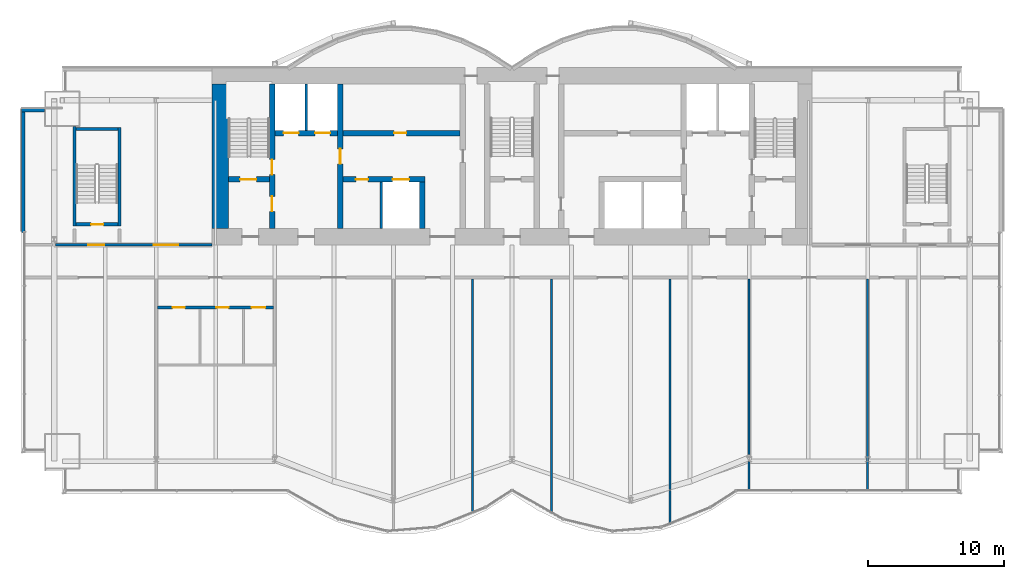
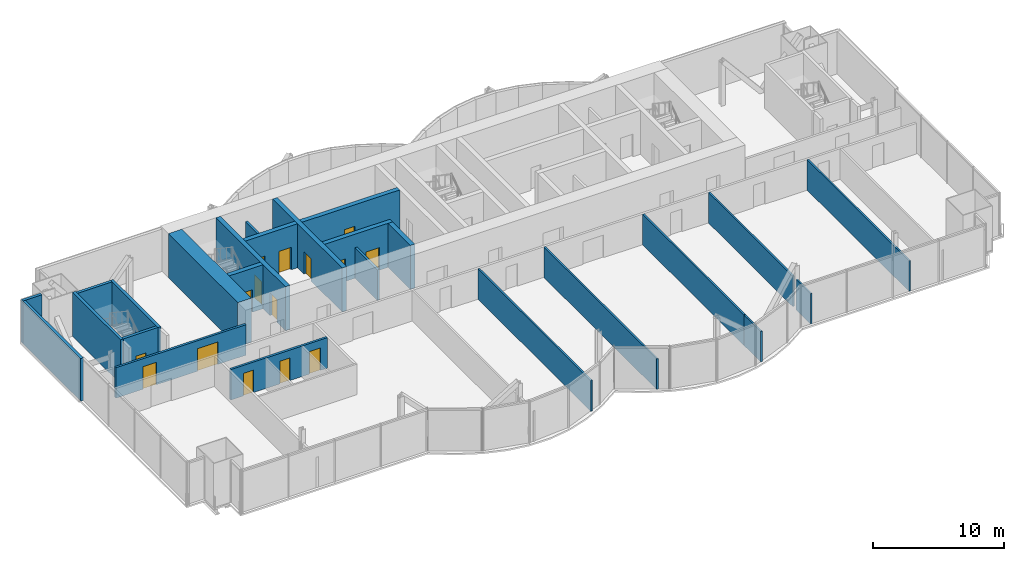
# One storey, part 14 of 20: 24 walls, 15 doors, 15 openings.
"""IFC4 building model written with IfcOpenShell, lengths in metres."""

from ifc_helpers import new_model, si_unit, direction, frame, frame_2d, origin, place, context, subcontext, project, spatial, rectangle, extrude, material, layer, layer_set, layer_usage, type_object, element, fill, save


model = new_model("IFC4")

# Units and contexts
model_context = context("Model", 3, precision=1e-05, world=origin(), true_north=direction((0.0, 1.0)))
body_context = subcontext(model_context, "Body", "Model", "MODEL_VIEW")
ifc_project = project(units=[si_unit("LENGTHUNIT", "METRE"), si_unit("AREAUNIT", "SQUARE_METRE"), si_unit("VOLUMEUNIT", "CUBIC_METRE"), si_unit("PLANEANGLEUNIT", "RADIAN"), si_unit("MASSUNIT", "GRAM", prefix="KILO")], contexts=[model_context])

# Site, building, storey
site_placement = place(None, origin())
site = spatial("IfcSite", under=ifc_project, at=site_placement, CompositionType="ELEMENT")
building_placement = place(site_placement, origin())
building = spatial("IfcBuilding", under=site, at=building_placement, Name="Bicima Exchange Tower", CompositionType="ELEMENT")
storey_placement = place(building_placement, frame((0.0, 0.0, 223.699951171875)))
storey = spatial("IfcBuildingStorey", under=building, at=storey_placement, Name="L50", CompositionType="ELEMENT", Elevation=223.699951171875)

# Walls
ifc_material_1 = material(Name="Gypsum board partition")
ifc_layer_1 = layer(ifc_material_1, 0.199951171875)
ifc_layer_set_1 = layer_set([ifc_layer_1], Name="Gypsum board partition")
wall_type_1 = type_object("IfcWallType", Name="Fire-rated gypsum partition 200 EI120", PredefinedType="PARTITIONING", material=ifc_layer_set_1)
for number, where, z_axis, x_axis, name in (
    (1, (-15.10009765625, -4.60009765625, 0.0), (0.0, 0.0, 1.0), (0.0, 1.0, 0.0), "partition wall 9"),
    (2, (-9.60009765625, -11.800048828125, 0.0), (0.0, 0.0, 1.0), (0.0, 1.0, 0.0), "partition wall 11"),
):
    element("IfcWall", number, at=place(storey_placement, frame(where, z_axis=z_axis, x_axis=x_axis)), inside=storey, type_object=wall_type_1, Name=name, PredefinedType="PARTITIONING", context=body_context, shape_type="SweptSolid", body=[
        extrude(rectangle(XDim=3.400146484375, YDim=0.199951171875, at=frame_2d((1.7001953125, 0.0))), origin(), (0.0, 0.0, 1.0), 2.84033203125),
    ])

# Wall, openings, doors
ifc_layer_2 = layer(ifc_material_1, 0.199951171875)
ifc_layer_set_2 = layer_set([ifc_layer_2], Name="Gypsum board partition")
wall_type_2 = type_object("IfcWallType", Name="Fire-rated gypsum partition 200 EI60", PredefinedType="PARTITIONING", material=ifc_layer_set_2)
wall_1_placement = place(storey_placement, frame((-26.0, -17.60009765625, 0.0), z_axis=(0.0, 0.0, 1.0), x_axis=(1.0, 0.0, 0.0)))
wall_1 = element("IfcWall", 3, at=wall_1_placement, inside=storey, type_object=wall_type_2, Name="partition wall 2", PredefinedType="PARTITIONING", context=body_context, shape_type="SweptSolid", body=[
    extrude(rectangle(XDim=8.5, YDim=0.199951171875, at=frame_2d((4.25, 0.0))), origin(), (0.0, 0.0, 1.0), 2.84033203125),
])
opening_1_placement = place(wall_1_placement, frame((1.10009765625, 0.0, 0.0)))
opening_1 = element("IfcOpeningElement", 4, at=opening_1_placement, cuts=wall_1, Name="Opening L50-009", PredefinedType="OPENING", context=body_context, shape_type="SweptSolid", body=[
    extrude(rectangle(XDim=0.89990234375, YDim=2.10009765625, at=frame_2d((0.449951171875, 1.050048828125))), frame((0.0, 0.11181640625, 0.0), z_axis=(0.0, -1.0, 0.0), x_axis=(1.0, 0.0, 0.0)), (0.0, 0.0, 1.0), 0.223876953125),
])
opening_2_placement = place(wall_1_placement, frame((4.300048828125, 0.0, 0.0)))
opening_2 = element("IfcOpeningElement", 5, at=opening_2_placement, cuts=wall_1, Name="Opening L50-010", PredefinedType="OPENING", context=body_context, shape_type="SweptSolid", body=[
    extrude(rectangle(XDim=0.89990234375, YDim=2.10009765625, at=frame_2d((0.449951171875, 1.050048828125))), frame((0.0, 0.11181640625, 0.0), z_axis=(0.0, -1.0, 0.0), x_axis=(1.0, 0.0, 0.0)), (0.0, 0.0, 1.0), 0.223876953125),
])
opening_3_placement = place(wall_1_placement, frame((6.89990234375, 0.0, 0.0)))
opening_3 = element("IfcOpeningElement", 6, at=opening_3_placement, cuts=wall_1, Name="Opening L50-011", PredefinedType="OPENING", context=body_context, shape_type="SweptSolid", body=[
    extrude(rectangle(XDim=1.0, YDim=2.10009765625, at=frame_2d((0.5, 1.050048828125))), frame((0.0, 0.11181640625, 0.0), z_axis=(0.0, -1.0, 0.0), x_axis=(1.0, 0.0, 0.0)), (0.0, 0.0, 1.0), 0.223876953125),
])
ifc_material_2 = material(Name="Steel fire door leaf", Category="steel")
door_type_1 = type_object("IfcDoorType", Name="Door 1000 swing FD30S", OperationType="SINGLE_SWING_LEFT", PredefinedType="DOOR", material=ifc_material_2)
door_1_placement = place(opening_3_placement, frame((1.0, 0.0, 0.0), z_axis=(0.0, 0.0, 1.0), x_axis=(-1.0, 0.0, 0.0)))
door_1 = element("IfcDoor", 7, at=door_1_placement, inside=storey, type_object=door_type_1, Name="Door", OperationType="SINGLE_SWING_RIGHT", OverallHeight=2.10009765625, OverallWidth=1.0, PredefinedType="DOOR", context=body_context, shape_type="SweptSolid", body=[
    extrude(rectangle(XDim=1.0, YDim=2.10009765625, at=frame_2d((0.5, 1.050048828125))), frame((0.0, 0.02490234375, 0.0), z_axis=(0.0, -1.0, 0.0), x_axis=(1.0, 0.0, 0.0)), (0.0, 0.0, 1.0), 0.050048828125),
])
fill(opening_3, door_1)
door_type_2 = type_object("IfcDoorType", Name="Door 900 swing FD30S", OperationType="SINGLE_SWING_LEFT", PredefinedType="DOOR", material=ifc_material_2)
door_2_placement = place(opening_1_placement, frame((0.89990234375, 0.0, 0.0), z_axis=(0.0, 0.0, 1.0), x_axis=(-1.0, 0.0, 0.0)))
door_2 = element("IfcDoor", 8, at=door_2_placement, inside=storey, type_object=door_type_2, Name="Door", OperationType="SINGLE_SWING_RIGHT", OverallHeight=2.10009765625, OverallWidth=0.89990234375, PredefinedType="DOOR", context=body_context, shape_type="SweptSolid", body=[
    extrude(rectangle(XDim=0.89990234375, YDim=2.10009765625, at=frame_2d((0.449951171875, 1.050048828125))), frame((0.0, 0.02490234375, 0.0), z_axis=(0.0, -1.0, 0.0), x_axis=(1.0, 0.0, 0.0)), (0.0, 0.0, 1.0), 0.050048828125),
])
fill(opening_1, door_2)
door_3_placement = place(opening_2_placement, frame((0.89990234375, 0.0, 0.0), z_axis=(0.0, 0.0, 1.0), x_axis=(-1.0, 0.0, 0.0)))
door_3 = element("IfcDoor", 9, at=door_3_placement, inside=storey, type_object=door_type_2, Name="Door", OperationType="SINGLE_SWING_LEFT", OverallHeight=2.10009765625, OverallWidth=0.89990234375, PredefinedType="DOOR", context=body_context, shape_type="SweptSolid", body=[
    extrude(rectangle(XDim=0.89990234375, YDim=2.10009765625, at=frame_2d((0.449951171875, 1.050048828125))), frame((0.0, 0.02490234375, 0.0), z_axis=(0.0, -1.0, 0.0), x_axis=(1.0, 0.0, 0.0)), (0.0, 0.0, 1.0), 0.050048828125),
])
fill(opening_2, door_3)

wall_2_placement = place(storey_placement, frame((-33.47998046875, -13.0, 0.0), z_axis=(0.0, 0.0, 1.0), x_axis=(1.0, 0.0, 0.0)))
wall_2 = element("IfcWall", 10, at=wall_2_placement, inside=storey, type_object=wall_type_2, Name="partition wall 5", PredefinedType="PARTITIONING", context=body_context, shape_type="SweptSolid", body=[
    extrude(rectangle(XDim=11.47998046875, YDim=0.199951171875, at=frame_2d((5.739990234375, 0.0))), origin(), (0.0, 0.0, 1.0), 2.84033203125),
])
opening_4_placement = place(wall_2_placement, frame((2.3798828125, 0.0, 0.0)))
opening_4 = element("IfcOpeningElement", 11, at=opening_4_placement, cuts=wall_2, Name="Opening L50-001", PredefinedType="OPENING", context=body_context, shape_type="SweptSolid", body=[
    extrude(rectangle(XDim=1.199951171875, YDim=2.10009765625, at=frame_2d((0.60009765625, 1.050048828125))), frame((0.0, 0.11181640625, 0.0), z_axis=(0.0, -1.0, 0.0), x_axis=(1.0, 0.0, 0.0)), (0.0, 0.0, 1.0), 0.223876953125),
])
opening_5_placement = place(wall_2_placement, frame((7.179931640625, 0.0, 0.0)))
opening_5 = element("IfcOpeningElement", 12, at=opening_5_placement, cuts=wall_2, Name="Opening L50-005", PredefinedType="OPENING", context=body_context, shape_type="SweptSolid", body=[
    extrude(rectangle(XDim=1.800048828125, YDim=2.10009765625, at=frame_2d((0.89990234375, 1.050048828125))), frame((0.0, 0.11181640625, 0.0), z_axis=(0.0, -1.0, 0.0), x_axis=(1.0, 0.0, 0.0)), (0.0, 0.0, 1.0), 0.223876953125),
])
door_type_3 = type_object("IfcDoorType", Name="Door 1200 swing FD30S", OperationType="SINGLE_SWING_LEFT", PredefinedType="DOOR", material=ifc_material_2)
door_4_placement = place(opening_4_placement, origin())
door_4 = element("IfcDoor", 13, at=door_4_placement, inside=storey, type_object=door_type_3, Name="Door", OperationType="SINGLE_SWING_LEFT", OverallHeight=2.10009765625, OverallWidth=1.199951171875, PredefinedType="DOOR", context=body_context, shape_type="SweptSolid", body=[
    extrude(rectangle(XDim=1.199951171875, YDim=2.10009765625, at=frame_2d((0.60009765625, 1.050048828125))), frame((0.0, 0.02490234375, 0.0), z_axis=(0.0, -1.0, 0.0), x_axis=(1.0, 0.0, 0.0)), (0.0, 0.0, 1.0), 0.050048828125),
])
fill(opening_4, door_4)
door_type_4 = type_object("IfcDoorType", Name="Door 1800 double swing FD30S", OperationType="DOUBLE_DOOR_SINGLE_SWING", PredefinedType="DOOR", material=ifc_material_2)
door_5_placement = place(opening_5_placement, origin())
door_5 = element("IfcDoor", 14, at=door_5_placement, inside=storey, type_object=door_type_4, Name="Door", OperationType="SINGLE_SWING_LEFT", OverallHeight=2.10009765625, OverallWidth=1.800048828125, PredefinedType="DOOR", context=body_context, shape_type="SweptSolid", body=[
    extrude(rectangle(XDim=1.800048828125, YDim=2.10009765625, at=frame_2d((0.89990234375, 1.050048828125))), frame((0.0, 0.02490234375, 0.0), z_axis=(0.0, -1.0, 0.0), x_axis=(1.0, 0.0, 0.0)), (0.0, 0.0, 1.0), 0.050048828125),
])
fill(opening_5, door_5)

# Walls
ifc_layer_3 = layer(ifc_material_1, 0.14990234375)
ifc_layer_set_3 = layer_set([ifc_layer_3], Name="Gypsum board partition")
wall_type_3 = type_object("IfcWallType", Name="Gypsum partition 150", PredefinedType="PARTITIONING", material=ifc_layer_set_3)
for number, where, z_axis, x_axis, name in (
    (15, (-2.89990234375, -32.72998046875, 0.0), (0.0, 0.0, 1.0), (0.0, 1.0, 0.0), "partition wall 20"),
    (16, (2.89990234375, -32.72998046875, 0.0), (0.0, 0.0, 1.0), (0.0, 1.0, 0.0), "partition wall 21"),
):
    element("IfcWall", number, at=place(storey_placement, frame(where, z_axis=z_axis, x_axis=x_axis)), inside=storey, type_object=wall_type_3, Name=name, PredefinedType="PARTITIONING", context=body_context, shape_type="SweptSolid", body=[
        extrude(rectangle(XDim=17.22998046875, YDim=0.14990234375, at=frame_2d((8.614990234375, 0.0))), origin(), (0.0, 0.0, 1.0), 2.84033203125),
    ])
wall_3_placement = place(storey_placement, frame((11.60009765625, -33.52001953125, 0.0), z_axis=(0.0, 0.0, 1.0), x_axis=(0.0, 1.0, 0.0)))
element("IfcWall", 17, at=wall_3_placement, inside=storey, type_object=wall_type_3, Name="partition wall 22", PredefinedType="PARTITIONING", context=body_context, shape_type="SweptSolid", body=[
    extrude(rectangle(XDim=2.506103515625, YDim=0.14990234375, at=frame_2d((1.2529296875, 0.0))), origin(), (0.0, 0.0, 1.0), 2.84033203125),
])
wall_4_placement = place(storey_placement, frame((11.60009765625, -30.951171875, 0.0), z_axis=(0.0, 0.0, 1.0), x_axis=(0.0, 1.0, 0.0)))
element("IfcWall", 18, at=wall_4_placement, inside=storey, type_object=wall_type_3, Name="partition wall 23", PredefinedType="PARTITIONING", context=body_context, shape_type="SweptSolid", body=[
    extrude(rectangle(XDim=15.451171875, YDim=0.14990234375, at=frame_2d((7.7255859375, 0.0))), origin(), (0.0, 0.0, 1.0), 2.84033203125),
])
wall_5_placement = place(storey_placement, frame((17.39990234375, -31.050048828125, 0.0), z_axis=(0.0, 0.0, 1.0), x_axis=(0.0, 1.0, 0.0)))
element("IfcWall", 19, at=wall_5_placement, inside=storey, type_object=wall_type_3, Name="partition wall 24", PredefinedType="PARTITIONING", context=body_context, shape_type="SweptSolid", body=[
    extrude(rectangle(XDim=2.18603515625, YDim=0.14990234375, at=frame_2d((1.093017578125, 0.0))), origin(), (0.0, 0.0, 1.0), 2.84033203125),
])
wall_6_placement = place(storey_placement, frame((17.39990234375, -28.376220703125, 0.0), z_axis=(0.0, 0.0, 1.0), x_axis=(0.0, 1.0, 0.0)))
element("IfcWall", 20, at=wall_6_placement, inside=storey, type_object=wall_type_3, Name="partition wall 25", PredefinedType="PARTITIONING", context=body_context, shape_type="SweptSolid", body=[
    extrude(rectangle(XDim=12.876220703125, YDim=0.14990234375, at=frame_2d((6.43798828125, 0.0))), origin(), (0.0, 0.0, 1.0), 2.84033203125),
])
wall_7_placement = place(storey_placement, frame((26.10009765625, -31.050048828125, 0.0), z_axis=(0.0, 0.0, 1.0), x_axis=(0.0, 1.0, 0.0)))
element("IfcWall", 21, at=wall_7_placement, inside=storey, type_object=wall_type_3, Name="partition wall 26", PredefinedType="PARTITIONING", context=body_context, shape_type="SweptSolid", body=[
    extrude(rectangle(XDim=15.550048828125, YDim=0.14990234375, at=frame_2d((7.77490234375, 0.0))), origin(), (0.0, 0.0, 1.0), 2.84033203125),
])
ifc_material_3 = material(Name="Concrete C50/60", Category="concrete")
ifc_layer_4 = layer(ifc_material_3, 1.199951171875)
ifc_layer_set_4 = layer_set([ifc_layer_4], Name="Concrete C50/60")
wall_type_4 = type_object("IfcWallType", Name="RC core wall 1200 C50/60", PredefinedType="SHEAR", material=ifc_layer_set_4)
wall_8_placement = place(storey_placement, frame((-21.39990234375, -11.800048828125, 0.0), z_axis=(0.0, 0.0, 1.0), x_axis=(0.0, 1.0, 0.0)))
element("IfcWall", 22, at=wall_8_placement, inside=storey, type_object=wall_type_4, Name="Core wall west", PredefinedType="SHEAR", context=body_context, shape_type="SweptSolid", body=[
    extrude(rectangle(XDim=10.60009765625, YDim=1.199951171875, at=frame_2d((5.300048828125, 0.0))), origin(), (0.0, 0.0, 1.0), 4.10009765625),
])

# Wall, opening, door
ifc_layer_5 = layer(ifc_material_3, 0.39990234375)
ifc_layer_set_5 = layer_set([ifc_layer_5], Name="Concrete C50/60")
wall_type_5 = type_object("IfcWallType", Name="RC core wall 400 C50/60", PredefinedType="SHEAR", material=ifc_layer_set_5)
wall_9_placement = place(storey_placement, frame((-20.800048828125, -8.199951171875, 0.0), z_axis=(0.0, 0.0, 1.0), x_axis=(1.0, 0.0, 0.0)))
wall_9 = element("IfcWall", 23, at=wall_9_placement, inside=storey, type_object=wall_type_5, Name="stair wall 1", PredefinedType="SHEAR", context=body_context, shape_type="SweptSolid", body=[
    extrude(rectangle(XDim=3.0, YDim=0.39990234375, at=frame_2d((1.5, 0.0))), origin(), (0.0, 0.0, 1.0), 4.10009765625),
])
opening_6_placement = place(wall_9_placement, frame((0.85009765625, 0.0, 0.0)))
opening_6 = element("IfcOpeningElement", 24, at=opening_6_placement, cuts=wall_9, Name="Opening L50-C01", PredefinedType="OPENING", context=body_context, shape_type="SweptSolid", body=[
    extrude(rectangle(XDim=1.199951171875, YDim=2.10009765625, at=frame_2d((0.60009765625, 1.050048828125))), frame((0.0, 0.2119140625, 0.0), z_axis=(0.0, -1.0, 0.0), x_axis=(1.0, 0.0, 0.0)), (0.0, 0.0, 1.0), 0.423828125),
])
door_type_5 = type_object("IfcDoorType", Name="Door 1200 swing FD60S", OperationType="SINGLE_SWING_LEFT", PredefinedType="DOOR", material=ifc_material_2)
door_6_placement = place(opening_6_placement, origin())
door_6 = element("IfcDoor", 25, at=door_6_placement, inside=storey, type_object=door_type_5, Name="Core door", OperationType="SINGLE_SWING_LEFT", OverallHeight=2.10009765625, OverallWidth=1.199951171875, PredefinedType="DOOR", context=body_context, shape_type="SweptSolid", body=[
    extrude(rectangle(XDim=1.199951171875, YDim=2.10009765625, at=frame_2d((0.60009765625, 1.050048828125))), frame((0.0, 0.02490234375, 0.0), z_axis=(0.0, -1.0, 0.0), x_axis=(1.0, 0.0, 0.0)), (0.0, 0.0, 1.0), 0.050048828125),
])
fill(opening_6, door_6)

# Wall, openings, doors
wall_10_placement = place(storey_placement, frame((-12.39990234375, -8.199951171875, 0.0), z_axis=(0.0, 0.0, 1.0), x_axis=(1.0, 0.0, 0.0)))
wall_10 = element("IfcWall", 26, at=wall_10_placement, inside=storey, type_object=wall_type_5, Name="shear wall 2", PredefinedType="SHEAR", context=body_context, shape_type="SweptSolid", body=[
    extrude(rectangle(XDim=6.0, YDim=0.39990234375, at=frame_2d((3.0, 0.0))), origin(), (0.0, 0.0, 1.0), 4.10009765625),
])
opening_7_placement = place(wall_10_placement, frame((3.64990234375, 0.0, 0.0)))
opening_7 = element("IfcOpeningElement", 27, at=opening_7_placement, cuts=wall_10, Name="Opening LD-MB1-L50", PredefinedType="OPENING", context=body_context, shape_type="SweptSolid", body=[
    extrude(rectangle(XDim=1.199951171875, YDim=2.10009765625, at=frame_2d((0.60009765625, 1.050048828125))), frame((0.0, 0.2119140625, 0.0), z_axis=(0.0, -1.0, 0.0), x_axis=(1.0, 0.0, 0.0)), (0.0, 0.0, 1.0), 0.423828125),
])
opening_8_placement = place(wall_10_placement, frame((0.949951171875, 0.0, 0.0)))
opening_8 = element("IfcOpeningElement", 28, at=opening_8_placement, cuts=wall_10, Name="Opening L50-C14", PredefinedType="OPENING", context=body_context, shape_type="SweptSolid", body=[
    extrude(rectangle(XDim=0.89990234375, YDim=2.10009765625, at=frame_2d((0.449951171875, 1.050048828125))), frame((0.0, 0.2119140625, 0.0), z_axis=(0.0, -1.0, 0.0), x_axis=(1.0, 0.0, 0.0)), (0.0, 0.0, 1.0), 0.423828125),
])
door_7_placement = place(opening_8_placement, frame((0.89990234375, 0.0, 0.0), z_axis=(0.0, 0.0, 1.0), x_axis=(-1.0, 0.0, 0.0)))
door_7 = element("IfcDoor", 29, at=door_7_placement, inside=storey, type_object=door_type_2, Name="Core door", OperationType="SINGLE_SWING_LEFT", OverallHeight=2.10009765625, OverallWidth=0.89990234375, PredefinedType="DOOR", context=body_context, shape_type="SweptSolid", body=[
    extrude(rectangle(XDim=0.89990234375, YDim=2.10009765625, at=frame_2d((0.449951171875, 1.050048828125))), frame((0.0, 0.02490234375, 0.0), z_axis=(0.0, -1.0, 0.0), x_axis=(1.0, 0.0, 0.0)), (0.0, 0.0, 1.0), 0.050048828125),
])
fill(opening_8, door_7)
ifc_material_4 = material(Name="Stainless steel", Category="steel")
door_type_6 = type_object("IfcDoorType", Name="Lift landing door 1200 sliding", OperationType="DOUBLE_DOOR_SLIDING", PredefinedType="DOOR", material=ifc_material_4)
door_8_placement = place(opening_7_placement, origin())
door_8 = element("IfcDoor", 30, at=door_8_placement, inside=storey, type_object=door_type_6, Name="Lift landing door MB1", OperationType="DOUBLE_DOOR_SLIDING", OverallHeight=2.10009765625, OverallWidth=1.199951171875, PredefinedType="DOOR", context=body_context, shape_type="SweptSolid", body=[
    extrude(rectangle(XDim=1.199951171875, YDim=2.10009765625, at=frame_2d((0.60009765625, 1.050048828125))), frame((0.0, 0.02490234375, 0.0), z_axis=(0.0, -1.0, 0.0), x_axis=(1.0, 0.0, 0.0)), (0.0, 0.0, 1.0), 0.050048828125),
])
fill(opening_7, door_8)

wall_11_placement = place(storey_placement, frame((-17.39990234375, -4.800048828125, 0.0), z_axis=(0.0, 0.0, 1.0), x_axis=(1.0, 0.0, 0.0)))
wall_11 = element("IfcWall", 31, at=wall_11_placement, inside=storey, type_object=wall_type_5, Name="shear wall 6", PredefinedType="SHEAR", context=body_context, shape_type="SweptSolid", body=[
    extrude(rectangle(XDim=13.599853515625, YDim=0.39990234375, at=frame_2d((6.7998046875, 0.0))), origin(), (0.0, 0.0, 1.0), 4.10009765625),
])
opening_9_placement = place(wall_11_placement, frame((0.64990234375, 0.0, 0.0)))
opening_9 = element("IfcOpeningElement", 32, at=opening_9_placement, cuts=wall_11, Name="Opening LD-FF1-L50", PredefinedType="OPENING", context=body_context, shape_type="SweptSolid", body=[
    extrude(rectangle(XDim=1.10009765625, YDim=2.10009765625, at=frame_2d((0.550048828125, 1.050048828125))), frame((0.0, 0.2119140625, 0.0), z_axis=(0.0, -1.0, 0.0), x_axis=(1.0, 0.0, 0.0)), (0.0, 0.0, 1.0), 0.423828125),
])
opening_10_placement = place(wall_11_placement, frame((2.949951171875, 0.0, 0.0)))
opening_10 = element("IfcOpeningElement", 33, at=opening_10_placement, cuts=wall_11, Name="Opening LD-FF3-L50", PredefinedType="OPENING", context=body_context, shape_type="SweptSolid", body=[
    extrude(rectangle(XDim=1.10009765625, YDim=2.10009765625, at=frame_2d((0.550048828125, 1.050048828125))), frame((0.0, 0.2119140625, 0.0), z_axis=(0.0, -1.0, 0.0), x_axis=(1.0, 0.0, 0.0)), (0.0, 0.0, 1.0), 0.423828125),
])
opening_11_placement = place(wall_11_placement, frame((8.75, 0.0, 0.0)))
opening_11 = element("IfcOpeningElement", 34, at=opening_11_placement, cuts=wall_11, Name="Opening L50-C12", PredefinedType="OPENING", context=body_context, shape_type="SweptSolid", body=[
    extrude(rectangle(XDim=0.89990234375, YDim=2.10009765625, at=frame_2d((0.449951171875, 1.050048828125))), frame((0.0, 0.2119140625, 0.0), z_axis=(0.0, -1.0, 0.0), x_axis=(1.0, 0.0, 0.0)), (0.0, 0.0, 1.0), 0.423828125),
])
door_9_placement = place(opening_11_placement, origin())
door_9 = element("IfcDoor", 35, at=door_9_placement, inside=storey, type_object=door_type_2, Name="Core door", OperationType="SINGLE_SWING_RIGHT", OverallHeight=2.10009765625, OverallWidth=0.89990234375, PredefinedType="DOOR", context=body_context, shape_type="SweptSolid", body=[
    extrude(rectangle(XDim=0.89990234375, YDim=2.10009765625, at=frame_2d((0.449951171875, 1.050048828125))), frame((0.0, 0.02490234375, 0.0), z_axis=(0.0, -1.0, 0.0), x_axis=(1.0, 0.0, 0.0)), (0.0, 0.0, 1.0), 0.050048828125),
])
fill(opening_11, door_9)
door_type_7 = type_object("IfcDoorType", Name="Lift landing door 1100 sliding", OperationType="DOUBLE_DOOR_SLIDING", PredefinedType="DOOR", material=ifc_material_4)
door_10_placement = place(opening_9_placement, origin())
door_10 = element("IfcDoor", 36, at=door_10_placement, inside=storey, type_object=door_type_7, Name="Lift landing door FF1", OperationType="DOUBLE_DOOR_SLIDING", OverallHeight=2.10009765625, OverallWidth=1.10009765625, PredefinedType="DOOR", context=body_context, shape_type="SweptSolid", body=[
    extrude(rectangle(XDim=1.10009765625, YDim=2.10009765625, at=frame_2d((0.550048828125, 1.050048828125))), frame((0.0, 0.02490234375, 0.0), z_axis=(0.0, -1.0, 0.0), x_axis=(1.0, 0.0, 0.0)), (0.0, 0.0, 1.0), 0.050048828125),
])
fill(opening_9, door_10)
door_11_placement = place(opening_10_placement, origin())
door_11 = element("IfcDoor", 37, at=door_11_placement, inside=storey, type_object=door_type_7, Name="Lift landing door FF3", OperationType="DOUBLE_DOOR_SLIDING", OverallHeight=2.10009765625, OverallWidth=1.10009765625, PredefinedType="DOOR", context=body_context, shape_type="SweptSolid", body=[
    extrude(rectangle(XDim=1.10009765625, YDim=2.10009765625, at=frame_2d((0.550048828125, 1.050048828125))), frame((0.0, 0.02490234375, 0.0), z_axis=(0.0, -1.0, 0.0), x_axis=(1.0, 0.0, 0.0)), (0.0, 0.0, 1.0), 0.050048828125),
])
fill(opening_10, door_11)

wall_12_placement = place(storey_placement, frame((-17.60009765625, -11.800048828125, 0.0), z_axis=(0.0, 0.0, 1.0), x_axis=(0.0, 1.0, 0.0)))
wall_12 = element("IfcWall", 38, at=wall_12_placement, inside=storey, type_object=wall_type_5, Name="stair wall 8", PredefinedType="SHEAR", context=body_context, shape_type="SweptSolid", body=[
    extrude(rectangle(XDim=10.60009765625, YDim=0.39990234375, at=frame_2d((5.300048828125, 0.0))), origin(), (0.0, 0.0, 1.0), 4.10009765625),
])
opening_12_placement = place(wall_12_placement, frame((1.25, 0.0, 0.0)))
opening_12 = element("IfcOpeningElement", 39, at=opening_12_placement, cuts=wall_12, Name="Opening L50-C02", PredefinedType="OPENING", context=body_context, shape_type="SweptSolid", body=[
    extrude(rectangle(XDim=1.10009765625, YDim=2.10009765625, at=frame_2d((0.550048828125, 1.050048828125))), frame((0.0, 0.2119140625, 0.0), z_axis=(0.0, -1.0, 0.0), x_axis=(1.0, 0.0, 0.0)), (0.0, 0.0, 1.0), 0.423828125),
])
opening_13_placement = place(wall_12_placement, frame((3.949951171875, 0.0, 0.0)))
opening_13 = element("IfcOpeningElement", 40, at=opening_13_placement, cuts=wall_12, Name="Opening L50-C06", PredefinedType="OPENING", context=body_context, shape_type="SweptSolid", body=[
    extrude(rectangle(XDim=1.10009765625, YDim=2.10009765625, at=frame_2d((0.550048828125, 1.050048828125))), frame((0.0, 0.2119140625, 0.0), z_axis=(0.0, -1.0, 0.0), x_axis=(1.0, 0.0, 0.0)), (0.0, 0.0, 1.0), 0.423828125),
])
door_type_8 = type_object("IfcDoorType", Name="Door 1100 swing FD60S", OperationType="SINGLE_SWING_LEFT", PredefinedType="DOOR", material=ifc_material_2)
door_12_placement = place(opening_12_placement, frame((1.10009765625, 0.0, 0.0), z_axis=(0.0, 0.0, 1.0), x_axis=(-1.0, 0.0, 0.0)))
door_12 = element("IfcDoor", 41, at=door_12_placement, inside=storey, type_object=door_type_8, Name="Core door", OperationType="SINGLE_SWING_LEFT", OverallHeight=2.10009765625, OverallWidth=1.10009765625, PredefinedType="DOOR", context=body_context, shape_type="SweptSolid", body=[
    extrude(rectangle(XDim=1.10009765625, YDim=2.10009765625, at=frame_2d((0.550048828125, 1.050048828125))), frame((0.0, 0.02490234375, 0.0), z_axis=(0.0, -1.0, 0.0), x_axis=(1.0, 0.0, 0.0)), (0.0, 0.0, 1.0), 0.050048828125),
])
fill(opening_12, door_12)
door_13_placement = place(opening_13_placement, frame((1.10009765625, 0.0, 0.0), z_axis=(0.0, 0.0, 1.0), x_axis=(-1.0, 0.0, 0.0)))
door_13 = element("IfcDoor", 42, at=door_13_placement, inside=storey, type_object=door_type_8, Name="Core door", OperationType="SINGLE_SWING_LEFT", OverallHeight=2.10009765625, OverallWidth=1.10009765625, PredefinedType="DOOR", context=body_context, shape_type="SweptSolid", body=[
    extrude(rectangle(XDim=1.10009765625, YDim=2.10009765625, at=frame_2d((0.550048828125, 1.050048828125))), frame((0.0, 0.02490234375, 0.0), z_axis=(0.0, -1.0, 0.0), x_axis=(1.0, 0.0, 0.0)), (0.0, 0.0, 1.0), 0.050048828125),
])
fill(opening_13, door_13)

# Wall, opening, door
wall_13_placement = place(storey_placement, frame((-12.60009765625, -11.800048828125, 0.0), z_axis=(0.0, 0.0, 1.0), x_axis=(0.0, 1.0, 0.0)))
wall_13 = element("IfcWall", 43, at=wall_13_placement, inside=storey, type_object=wall_type_5, Name="shear wall 10", PredefinedType="SHEAR", context=body_context, shape_type="SweptSolid", body=[
    extrude(rectangle(XDim=10.60009765625, YDim=0.39990234375, at=frame_2d((5.300048828125, 0.0))), origin(), (0.0, 0.0, 1.0), 4.10009765625),
])
opening_14_placement = place(wall_13_placement, frame((4.75, 0.0, 0.0)))
opening_14 = element("IfcOpeningElement", 44, at=opening_14_placement, cuts=wall_13, Name="Opening L50-C07", PredefinedType="OPENING", context=body_context, shape_type="SweptSolid", body=[
    extrude(rectangle(XDim=1.10009765625, YDim=2.10009765625, at=frame_2d((0.550048828125, 1.050048828125))), frame((0.0, 0.2119140625, 0.0), z_axis=(0.0, -1.0, 0.0), x_axis=(1.0, 0.0, 0.0)), (0.0, 0.0, 1.0), 0.423828125),
])
door_14_placement = place(opening_14_placement, origin())
door_14 = element("IfcDoor", 45, at=door_14_placement, inside=storey, type_object=door_type_8, Name="Core door", OperationType="SINGLE_SWING_LEFT", OverallHeight=2.10009765625, OverallWidth=1.10009765625, PredefinedType="DOOR", context=body_context, shape_type="SweptSolid", body=[
    extrude(rectangle(XDim=1.10009765625, YDim=2.10009765625, at=frame_2d((0.550048828125, 1.050048828125))), frame((0.0, 0.02490234375, 0.0), z_axis=(0.0, -1.0, 0.0), x_axis=(1.0, 0.0, 0.0)), (0.0, 0.0, 1.0), 0.050048828125),
])
fill(opening_14, door_14)

# Walls
wall_14_placement = place(storey_placement, frame((-6.60009765625, -11.800048828125, 0.0), z_axis=(0.0, 0.0, 1.0), x_axis=(0.0, 1.0, 0.0)))
element("IfcWall", 46, at=wall_14_placement, inside=storey, type_object=wall_type_5, Name="shear wall 12", PredefinedType="SHEAR", context=body_context, shape_type="SweptSolid", body=[
    extrude(rectangle(XDim=3.400146484375, YDim=0.39990234375, at=frame_2d((1.7001953125, 0.0))), origin(), (0.0, 0.0, 1.0), 4.10009765625),
])
ifc_layer_6 = layer(ifc_material_3, 0.25)
ifc_layer_set_6 = layer_set([ifc_layer_6], Name="Concrete C50/60")
wall_type_6 = type_object("IfcWallType", Name="RC stair enclosure wall 250 C50/60", PredefinedType="SHEAR", material=ifc_layer_set_6)
wall_15_placement = place(storey_placement, frame((-32.10009765625, -11.625, 0.0), z_axis=(0.0, 0.0, 1.0), x_axis=(0.0, 1.0, 0.0)))
element("IfcWall", 47, at=wall_15_placement, inside=storey, type_object=wall_type_6, Name="West end exit stair wall W", PredefinedType="SHEAR", context=body_context, shape_type="SweptSolid", body=[
    extrude(rectangle(XDim=7.324951171875, YDim=0.25, at=frame_2d((3.66259765625, 0.0))), origin(), (0.0, 0.0, 1.0), 4.10009765625),
])
wall_16_placement = place(storey_placement, frame((-28.800048828125, -11.625, 0.0), z_axis=(0.0, 0.0, 1.0), x_axis=(0.0, 1.0, 0.0)))
element("IfcWall", 48, at=wall_16_placement, inside=storey, type_object=wall_type_6, Name="West end exit stair wall E", PredefinedType="SHEAR", context=body_context, shape_type="SweptSolid", body=[
    extrude(rectangle(XDim=7.25, YDim=0.25, at=frame_2d((3.625, 0.0))), origin(), (0.0, 0.0, 1.0), 4.10009765625),
])

# Wall, opening, door
wall_17_placement = place(storey_placement, frame((-31.97509765625, -11.5, 0.0), z_axis=(0.0, 0.0, 1.0), x_axis=(1.0, 0.0, 0.0)))
wall_17 = element("IfcWall", 49, at=wall_17_placement, inside=storey, type_object=wall_type_6, Name="West end exit stair wall S", PredefinedType="SHEAR", context=body_context, shape_type="SweptSolid", body=[
    extrude(rectangle(XDim=3.050048828125, YDim=0.25, at=frame_2d((1.52490234375, 0.0))), origin(), (0.0, 0.0, 1.0), 4.10009765625),
])
opening_15_placement = place(wall_17_placement, frame((1.10009765625, 0.0, 0.0)))
opening_15 = element("IfcOpeningElement", 50, at=opening_15_placement, cuts=wall_17, Name="Opening L50-002", PredefinedType="OPENING", context=body_context, shape_type="SweptSolid", body=[
    extrude(rectangle(XDim=0.89990234375, YDim=2.10009765625, at=frame_2d((0.449951171875, 1.050048828125))), frame((0.0, 0.136962890625, 0.0), z_axis=(0.0, -1.0, 0.0), x_axis=(1.0, 0.0, 0.0)), (0.0, 0.0, 1.0), 0.27392578125),
])
door_type_9 = type_object("IfcDoorType", Name="Door 900 swing FD60S", OperationType="SINGLE_SWING_LEFT", PredefinedType="DOOR", material=ifc_material_2)
door_15_placement = place(opening_15_placement, origin())
door_15 = element("IfcDoor", 51, at=door_15_placement, inside=storey, type_object=door_type_9, Name="Door", OperationType="SINGLE_SWING_LEFT", OverallHeight=2.10009765625, OverallWidth=0.89990234375, PredefinedType="DOOR", context=body_context, shape_type="SweptSolid", body=[
    extrude(rectangle(XDim=0.89990234375, YDim=2.10009765625, at=frame_2d((0.449951171875, 1.050048828125))), frame((0.0, 0.02490234375, 0.0), z_axis=(0.0, -1.0, 0.0), x_axis=(1.0, 0.0, 0.0)), (0.0, 0.0, 1.0), 0.050048828125),
])
fill(opening_15, door_15)

# Walls
wall_18_placement = place(storey_placement, frame((-31.97509765625, -4.5, 0.0), z_axis=(0.0, 0.0, 1.0), x_axis=(1.0, 0.0, 0.0)))
element("IfcWall", 52, at=wall_18_placement, inside=storey, type_object=wall_type_6, Name="West end exit stair wall N", PredefinedType="SHEAR", context=body_context, shape_type="SweptSolid", body=[
    extrude(rectangle(XDim=3.050048828125, YDim=0.25, at=frame_2d((1.52490234375, 0.0))), origin(), (0.0, 0.0, 1.0), 4.10009765625),
])
ifc_material_5 = material(Name="Concrete C40/50", Category="concrete")
ifc_layer_7 = layer(ifc_material_5, 0.25)
ifc_layer_set_7 = layer_set([ifc_layer_7], Name="Concrete C40/50")
ifc_layer_usage = layer_usage(ifc_layer_set_7, "AXIS2", "POSITIVE", -0.125)
wall_type_7 = type_object("IfcWallType", Name="Rear backup wall 250", PredefinedType="STANDARD", material=ifc_layer_set_7)
wall_19_placement = place(storey_placement, frame((-34.300048828125, -3.125, 0.0), z_axis=(0.0, 0.0, 1.0), x_axis=(-1.0, 0.0, 0.0)))
element("IfcWall", 53, at=wall_19_placement, inside=storey, type_object=wall_type_7, material=ifc_layer_usage, Name="Rear backup wall L50 22", PredefinedType="STANDARD", context=body_context, shape_type="SweptSolid", body=[
    extrude(rectangle(XDim=1.699951171875, YDim=0.25, at=frame_2d((0.85009765625, 0.0))), origin(), (0.0, 0.0, 1.0), 3.949951171875),
])
wall_20_placement = place(storey_placement, frame((-35.875, -3.0, 0.0), z_axis=(0.0, 0.0, 1.0), x_axis=(0.0, -1.0, 0.0)))
element("IfcWall", 54, at=wall_20_placement, inside=storey, type_object=wall_type_7, material=ifc_layer_usage, Name="Rear backup wall L50 23", PredefinedType="STANDARD", context=body_context, shape_type="SweptSolid", body=[
    extrude(rectangle(XDim=9.090087890625, YDim=0.25, at=frame_2d((4.544921875, 0.0))), origin(), (0.0, 0.0, 1.0), 3.949951171875),
])

save(model, "model.ifc")
